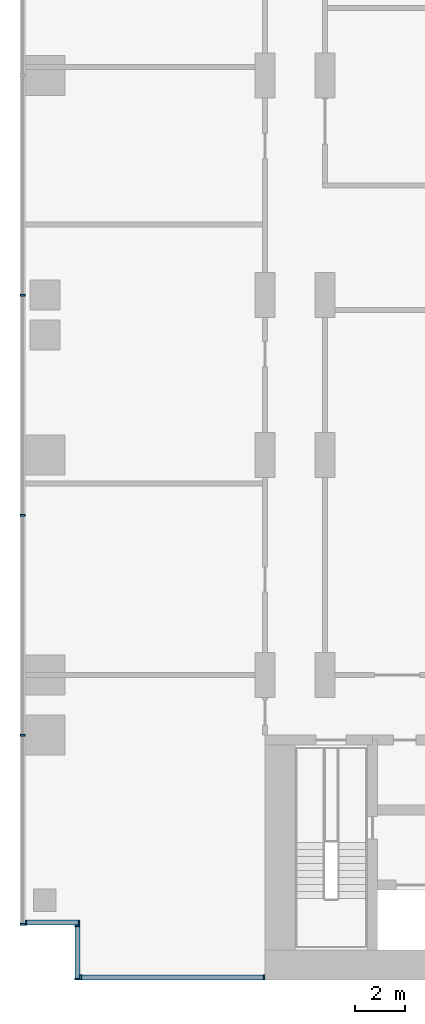
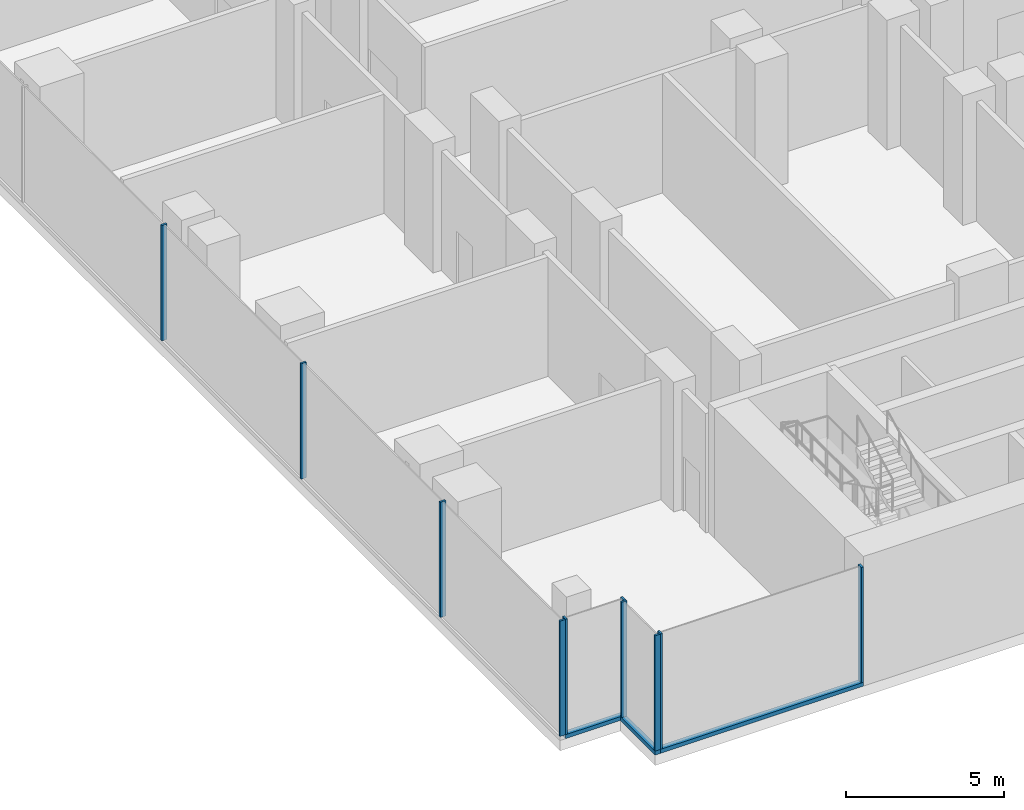
# One storey, part 2 of 30: 13 members, 4 elements without a shape of their own.
"""IFC4 building model written with IfcOpenShell, lengths in metres."""

from ifc_helpers import new_model, si_unit, direction, frame, origin, origin_2d, place, context, subcontext, project, spatial, rectangle, extrude, source, transform, mapped, material, material_profile, profile_set, type_object, element, aggregate, save


model = new_model("IFC4")

# Units and contexts
model_context = context("Model", 3, precision=1e-05, world=origin(), true_north=direction((0.0, 1.0)))
body_context = subcontext(model_context, "Body", "Model", "MODEL_VIEW")
ifc_project = project(units=[si_unit("LENGTHUNIT", "METRE"), si_unit("AREAUNIT", "SQUARE_METRE"), si_unit("VOLUMEUNIT", "CUBIC_METRE"), si_unit("PLANEANGLEUNIT", "RADIAN"), si_unit("MASSUNIT", "GRAM", prefix="KILO")], contexts=[model_context])

# Site, building, storey
site_placement = place(None, origin())
site = spatial("IfcSite", under=ifc_project, at=site_placement, CompositionType="ELEMENT")
building_placement = place(site_placement, origin())
building = spatial("IfcBuilding", under=site, at=building_placement, Name="Kemantara Hotel Tower", CompositionType="ELEMENT")
storey_placement = place(building_placement, frame((0.0, 0.0, 13.0)))
storey = spatial("IfcBuildingStorey", under=building, at=storey_placement, Name="L02", CompositionType="ELEMENT", Elevation=13.0)

# Curtain wall, member
ifc_material_1 = material(Name="Laminated tinted insulated glass 44 mm", Category="glass")
curtain_wall_type = type_object("IfcCurtainWallType", Name="PODIUM GLASS CURTAIN WALL", PredefinedType="USERDEFINED", material=ifc_material_1)
curtain_wall_1_placement = place(storey_placement, origin())
curtain_wall_1 = element("IfcCurtainWall", 1, at=curtain_wall_1_placement, inside=storey, type_object=curtain_wall_type, Name="CW1 L02 POD-R01-1", ObjectType="PODIUM GLASS CURTAIN WALL", PredefinedType="USERDEFINED")
ifc_material_2 = material(Name="Aluminium 6063-T6 bronze anodised", Category="aluminium")
ifc_material_profile_1 = material_profile(ifc_material_2, rectangle(XDim=0.199951171875, YDim=0.14990234375, at=origin_2d()), Name="PODIUM GLASS CURTAIN WALL TRANSOM")
ifc_profile_set_1 = profile_set([ifc_material_profile_1], Name="Aluminium 6063-T6 bronze anodised")
member_type_1 = type_object("IfcMemberType", Name="PODIUM GLASS CURTAIN WALL TRANSOM", PredefinedType="USERDEFINED", material=ifc_profile_set_1)
member_1_placement = place(storey_placement, frame((2.39990234375, 0.10009765625, 0.074951171875), z_axis=(1.0, 0.0, 0.0), x_axis=(0.0, 1.0, 0.0)))
member_1 = element("IfcMember", 2, at=member_1_placement, type_object=member_type_1, Name="CW1 sill transom POD-R01-1", ObjectType="TRANSOM", PredefinedType="USERDEFINED", context=body_context, shape_type="SweptSolid", body=[
    extrude(rectangle(XDim=0.199951171875, YDim=0.14990234375, at=origin_2d()), origin(), (0.0, 0.0, 1.0), 7.400146484375),
])

curtain_wall_2_placement = place(storey_placement, origin())
curtain_wall_2 = element("IfcCurtainWall", 3, at=curtain_wall_2_placement, inside=storey, type_object=curtain_wall_type, Name="CW1 L02 POD-R00-1", ObjectType="PODIUM GLASS CURTAIN WALL", PredefinedType="USERDEFINED")
member_2_placement = place(storey_placement, frame((2.300048828125, 2.199951171875, 0.074951171875), z_axis=(0.0, -1.0, 0.0), x_axis=(1.0, 0.0, 0.0)))
member_2 = element("IfcMember", 4, at=member_2_placement, type_object=member_type_1, Name="CW1 sill transom POD-R00-1", ObjectType="TRANSOM", PredefinedType="USERDEFINED", context=body_context, shape_type="SweptSolid", body=[
    extrude(rectangle(XDim=0.199951171875, YDim=0.14990234375, at=origin_2d()), origin(), (0.0, 0.0, 1.0), 2.199951171875),
])

curtain_wall_3_placement = place(storey_placement, origin())
curtain_wall_3 = element("IfcCurtainWall", 5, at=curtain_wall_3_placement, inside=storey, type_object=curtain_wall_type, Name="CW1 L02 POD-R17-1", ObjectType="PODIUM GLASS CURTAIN WALL", PredefinedType="USERDEFINED")
member_3_placement = place(storey_placement, frame((0.199951171875, 2.300048828125, 0.074951171875), z_axis=(1.0, 0.0, 0.0), x_axis=(0.0, 1.0, 0.0)))
member_3 = element("IfcMember", 6, at=member_3_placement, type_object=member_type_1, Name="CW1 sill transom POD-R17-1", ObjectType="TRANSOM", PredefinedType="USERDEFINED", context=body_context, shape_type="SweptSolid", body=[
    extrude(rectangle(XDim=0.199951171875, YDim=0.14990234375, at=origin_2d()), origin(), (0.0, 0.0, 1.0), 2.199951171875),
])

# Member
ifc_material_profile_2 = material_profile(ifc_material_2, rectangle(XDim=0.199951171875, YDim=0.074951171875, at=origin_2d()), Name="PODIUM GLASS CURTAIN WALL MULLION")
ifc_profile_set_2 = profile_set([ifc_material_profile_2], Name="Aluminium 6063-T6 bronze anodised")
member_type_2 = type_object("IfcMemberType", Name="PODIUM GLASS CURTAIN WALL MULLION", PredefinedType="MULLION", material=ifc_profile_set_2)
shared_shape = source(origin(), body_context, "Body", "SweptSolid", [
    extrude(rectangle(XDim=0.199951171875, YDim=0.074951171875, at=origin_2d()), origin(), (0.0, 0.0, 1.0), 4.4501953125),
])
member_4_placement = place(storey_placement, frame((2.4375, 0.10009765625, 0.14990234375), z_axis=(0.0, 0.0, 1.0), x_axis=(0.0, 1.0, 0.0)))
member_4 = element("IfcMember", 7, at=member_4_placement, type_object=member_type_2, Name="CW1 mullion POD-R01-1.1", PredefinedType="MULLION", context=body_context, shape_type="MappedRepresentation", body=[
    mapped(shared_shape, transform((0.0, 0.0, 0.0))),
])

member_5_placement = place(storey_placement, frame((9.762451171875, 0.10009765625, 0.14990234375), z_axis=(0.0, 0.0, 1.0), x_axis=(0.0, 1.0, 0.0)))
member_5 = element("IfcMember", 8, at=member_5_placement, type_object=member_type_2, Name="CW1 mullion POD-R01-1.2", PredefinedType="MULLION", context=body_context, shape_type="MappedRepresentation", body=[
    mapped(shared_shape, transform((0.0, 0.0, 0.0))),
])

aggregate(curtain_wall_1, [member_1, member_4, member_5])

# Curtain wall, members
curtain_wall_4_placement = place(storey_placement, origin())
curtain_wall_4 = element("IfcCurtainWall", 9, at=curtain_wall_4_placement, inside=storey, type_object=curtain_wall_type, Name="CW1 L02 POD-R16-1", ObjectType="PODIUM GLASS CURTAIN WALL", PredefinedType="USERDEFINED")
member_6_placement = place(storey_placement, frame((0.10009765625, 27.39990234375, 0.14990234375), z_axis=(0.0, 0.0, 1.0), x_axis=(1.0, 0.0, 0.0)))
member_6 = element("IfcMember", 10, at=member_6_placement, type_object=member_type_2, Name="CW1 mullion POD-R16-1.7", PredefinedType="MULLION", context=body_context, shape_type="MappedRepresentation", body=[
    mapped(shared_shape, transform((0.0, 0.0, 0.0))),
])
member_7_placement = place(storey_placement, frame((0.10009765625, 18.60009765625, 0.14990234375), z_axis=(0.0, 0.0, 1.0), x_axis=(1.0, 0.0, 0.0)))
member_7 = element("IfcMember", 11, at=member_7_placement, type_object=member_type_2, Name="CW1 mullion POD-R16-1.8", PredefinedType="MULLION", context=body_context, shape_type="MappedRepresentation", body=[
    mapped(shared_shape, transform((0.0, 0.0, 0.0))),
])
member_8_placement = place(storey_placement, frame((0.10009765625, 9.800048828125, 0.14990234375), z_axis=(0.0, 0.0, 1.0), x_axis=(1.0, 0.0, 0.0)))
member_8 = element("IfcMember", 12, at=member_8_placement, type_object=member_type_2, Name="CW1 mullion POD-R16-1.9", PredefinedType="MULLION", context=body_context, shape_type="MappedRepresentation", body=[
    mapped(shared_shape, transform((0.0, 0.0, 0.0))),
])
member_9_placement = place(storey_placement, frame((0.10009765625, 2.237548828125, 0.14990234375), z_axis=(0.0, 0.0, 1.0), x_axis=(1.0, 0.0, 0.0)))
member_9 = element("IfcMember", 13, at=member_9_placement, type_object=member_type_2, Name="CW1 mullion POD-R16-1.10", PredefinedType="MULLION", context=body_context, shape_type="MappedRepresentation", body=[
    mapped(shared_shape, transform((0.0, 0.0, 0.0))),
])
aggregate(curtain_wall_4, [member_6, member_7, member_8, member_9])

# Member
member_10_placement = place(storey_placement, frame((2.300048828125, 2.16259765625, 0.14990234375), z_axis=(0.0, 0.0, 1.0), x_axis=(1.0, 0.0, 0.0)))
member_10 = element("IfcMember", 14, at=member_10_placement, type_object=member_type_2, Name="CW1 mullion POD-R00-1.1", PredefinedType="MULLION", context=body_context, shape_type="MappedRepresentation", body=[
    mapped(shared_shape, transform((0.0, 0.0, 0.0))),
])

member_11_placement = place(storey_placement, frame((2.300048828125, 0.03759765625, 0.14990234375), z_axis=(0.0, 0.0, 1.0), x_axis=(1.0, 0.0, 0.0)))
member_11 = element("IfcMember", 15, at=member_11_placement, type_object=member_type_2, Name="CW1 mullion POD-R00-1.2", PredefinedType="MULLION", context=body_context, shape_type="MappedRepresentation", body=[
    mapped(shared_shape, transform((0.0, 0.0, 0.0))),
])

aggregate(curtain_wall_2, [member_2, member_10, member_11])

member_12_placement = place(storey_placement, frame((0.237548828125, 2.300048828125, 0.14990234375), z_axis=(0.0, 0.0, 1.0), x_axis=(0.0, 1.0, 0.0)))
member_12 = element("IfcMember", 16, at=member_12_placement, type_object=member_type_2, Name="CW1 mullion POD-R17-1.1", PredefinedType="MULLION", context=body_context, shape_type="MappedRepresentation", body=[
    mapped(shared_shape, transform((0.0, 0.0, 0.0))),
])

member_13_placement = place(storey_placement, frame((2.362548828125, 2.300048828125, 0.14990234375), z_axis=(0.0, 0.0, 1.0), x_axis=(0.0, 1.0, 0.0)))
member_13 = element("IfcMember", 17, at=member_13_placement, type_object=member_type_2, Name="CW1 mullion POD-R17-1.2", PredefinedType="MULLION", context=body_context, shape_type="MappedRepresentation", body=[
    mapped(shared_shape, transform((0.0, 0.0, 0.0))),
])

aggregate(curtain_wall_3, [member_3, member_12, member_13])

save(model, "model.ifc")
